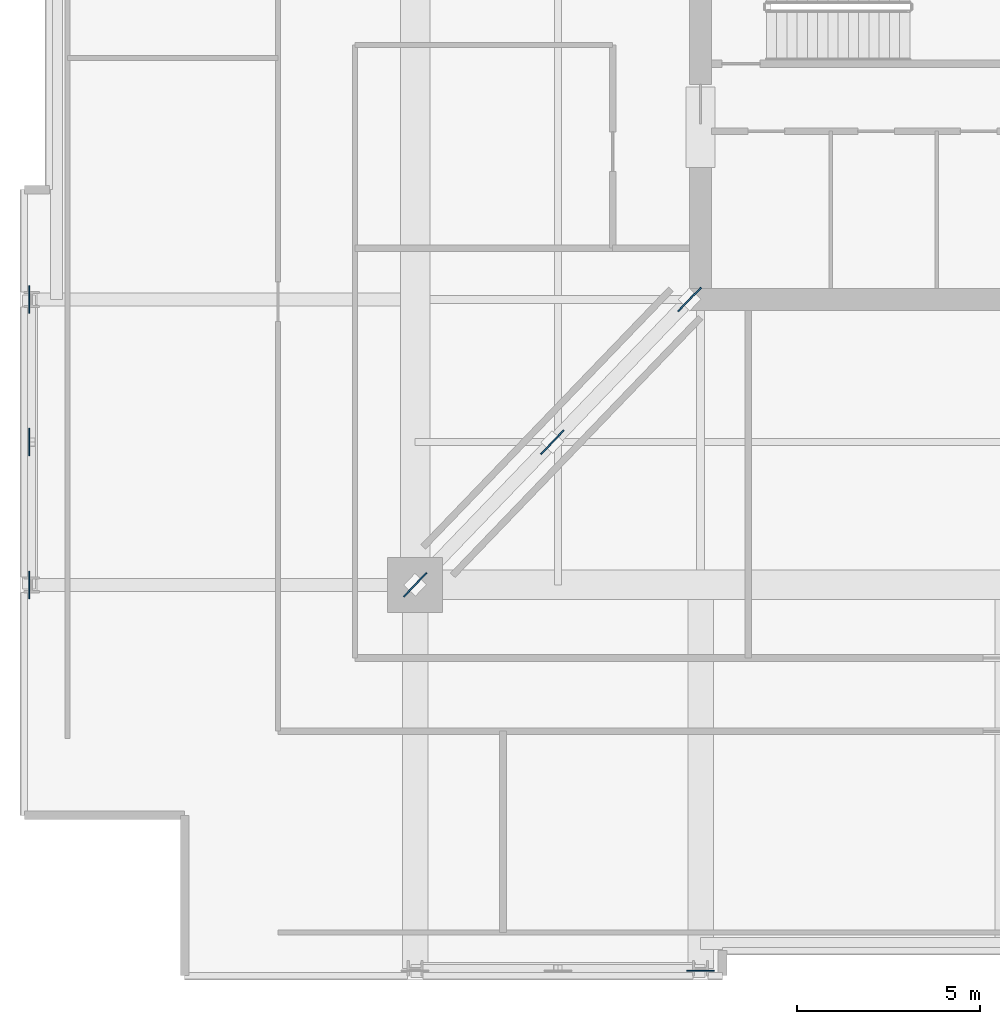
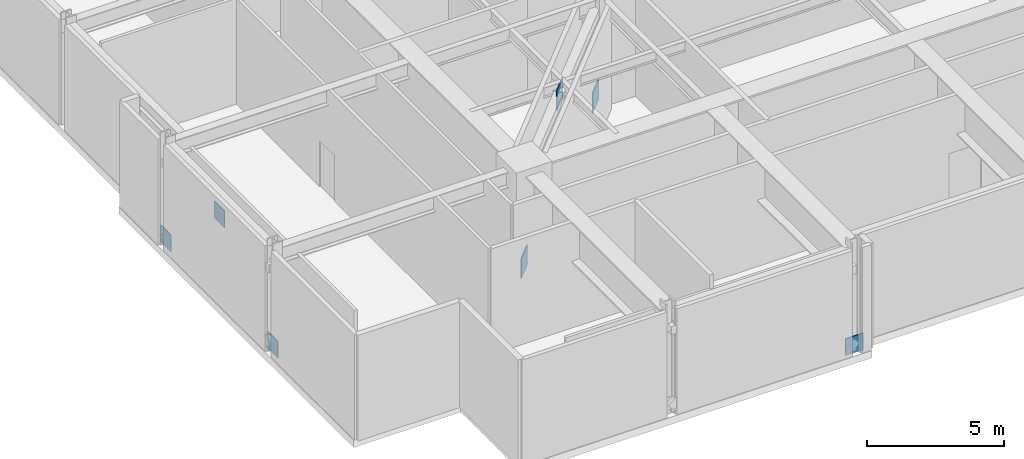
# One storey, part 3 of 13: 7 plates.
"""IFC4 building model written with IfcOpenShell, lengths in metres."""

from ifc_helpers import new_model, si_unit, direction, frame, origin, origin_2d, place, context, subcontext, project, spatial, rectangle, extrude, material, layer, layer_set, type_object, element, save


model = new_model("IFC4")

# Units and contexts
model_context = context("Model", 3, precision=1e-05, world=origin(), true_north=direction((0.0, 1.0)))
body_context = subcontext(model_context, "Body", "Model", "MODEL_VIEW")
ifc_project = project(units=[si_unit("LENGTHUNIT", "METRE"), si_unit("AREAUNIT", "SQUARE_METRE"), si_unit("VOLUMEUNIT", "CUBIC_METRE"), si_unit("PLANEANGLEUNIT", "RADIAN"), si_unit("MASSUNIT", "GRAM", prefix="KILO")], contexts=[model_context])

# Site, building, storey
site_placement = place(None, origin())
site = spatial("IfcSite", under=ifc_project, at=site_placement, CompositionType="ELEMENT")
building_placement = place(site_placement, origin())
building = spatial("IfcBuilding", under=site, at=building_placement, Name="Drelvath Grand Hotel", CompositionType="ELEMENT")
storey_placement = place(building_placement, frame((0.0, 0.0, 140.800048828125)))
storey = spatial("IfcBuildingStorey", under=building, at=storey_placement, Name="L36", CompositionType="ELEMENT", Elevation=140.800048828125)

# Plates
ifc_material = material(Name="Steel ASTM A572 Gr 50", Category="steel")
ifc_layer_1 = layer(ifc_material, 0.031982421875)
ifc_layer_set_1 = layer_set([ifc_layer_1], Name="Steel ASTM A572 Gr 50")
plate_type_1 = type_object("IfcPlateType", Name="Belt Truss Node Gusset Plate 32mm", PredefinedType="USERDEFINED", material=ifc_layer_set_1)
for number, where, z_axis, x_axis, name in (
    (1, (-26.75, 10.800048828125, -0.025146484375), (0.0, 0.0, 1.0), (0.0, 1.0, 0.0), "L36 Belt Truss Start Gusset BW-S"),
    (2, (-26.75, 14.699951171875, 3.405029296875), (0.0, 0.0, 1.0), (0.0, 1.0, 0.0), "L36 Belt Truss Apex Gusset BW-S"),
    (3, (-26.75, 18.60009765625, -0.025146484375), (0.0, 0.0, 1.0), (0.0, 1.0, 0.0), "L36 Belt Truss End Gusset BW-S"),
    (4, (-8.39990234375, 0.25, -0.025146484375), (0.0, 0.0, 1.0), (1.0, 0.0, 0.0), "L36 Belt Truss End Gusset BS-W"),
):
    element("IfcPlate", number, at=place(storey_placement, frame(where, z_axis=z_axis, x_axis=x_axis)), inside=storey, type_object=plate_type_1, Name=name, ObjectType="GUSSET_PLATE", PredefinedType="USERDEFINED", context=body_context, shape_type="SweptSolid", body=[
        extrude(rectangle(XDim=0.75, YDim=0.031982421875, at=origin_2d()), origin(), (0.0, 0.0, 1.0), 0.75),
    ])
ifc_layer_2 = layer(ifc_material, 0.0400390625)
ifc_layer_set_2 = layer_set([ifc_layer_2], Name="Steel ASTM A572 Gr 50")
plate_type_2 = type_object("IfcPlateType", Name="Outrigger Node Gusset Plate 40mm", PredefinedType="USERDEFINED", material=ifc_layer_set_2)
for number, where, z_axis, x_axis, name in (
    (5, (-8.699951171875, 18.60009765625, -0.10009765625), (0.0, 0.0, 1.0), (-0.693108716253, -0.720833064901, 0.0), "L36 Outrigger Node Gusset SW-1"),
    (6, (-12.449951171875, 14.699951171875, 3.699951171875), (0.0, 0.0, 1.0), (-0.693108716253, -0.720833064901, 0.0), "L36 Outrigger Node Gusset SW-2"),
    (7, (-16.199951171875, 10.800048828125, -0.10009765625), (0.0, 0.0, 1.0), (-0.693108716253, -0.720833064901, 0.0), "L36 Outrigger Node Gusset SW-3"),
):
    element("IfcPlate", number, at=place(storey_placement, frame(where, z_axis=z_axis, x_axis=x_axis)), inside=storey, type_object=plate_type_2, Name=name, ObjectType="GUSSET_PLATE", PredefinedType="USERDEFINED", context=body_context, shape_type="SweptSolid", body=[
        extrude(rectangle(XDim=0.89990234375, YDim=0.0400390625, at=origin_2d()), origin(), (0.0, 0.0, 1.0), 0.89990234375),
    ])

save(model, "model.ifc")
